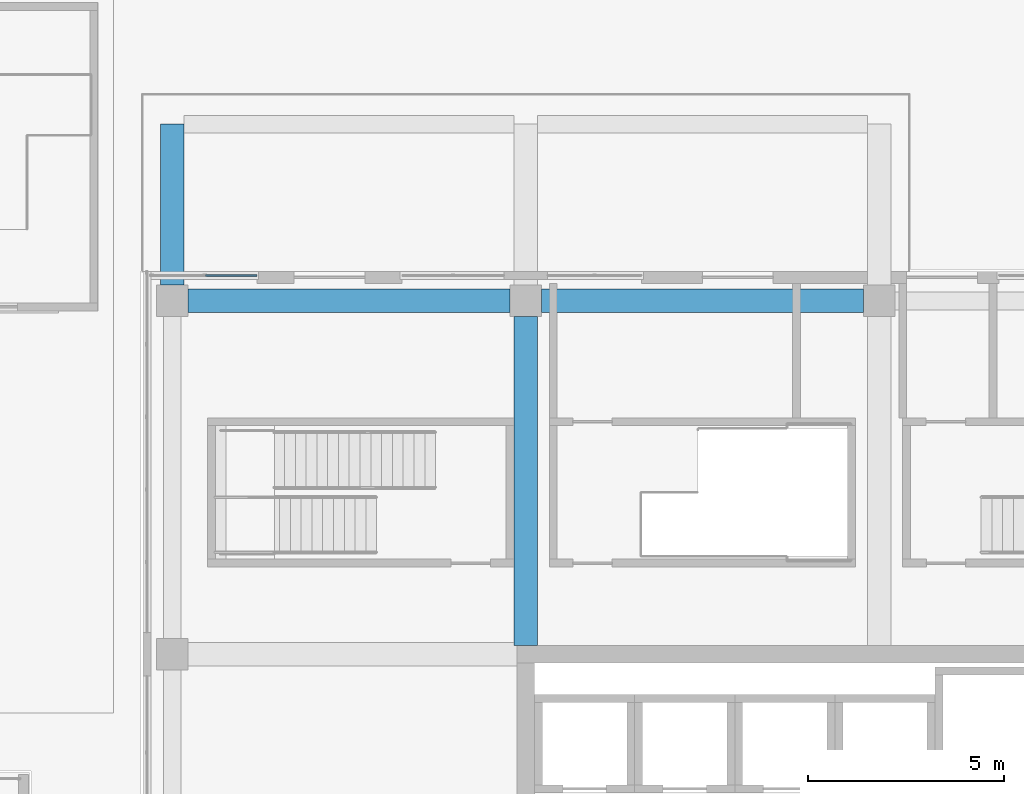
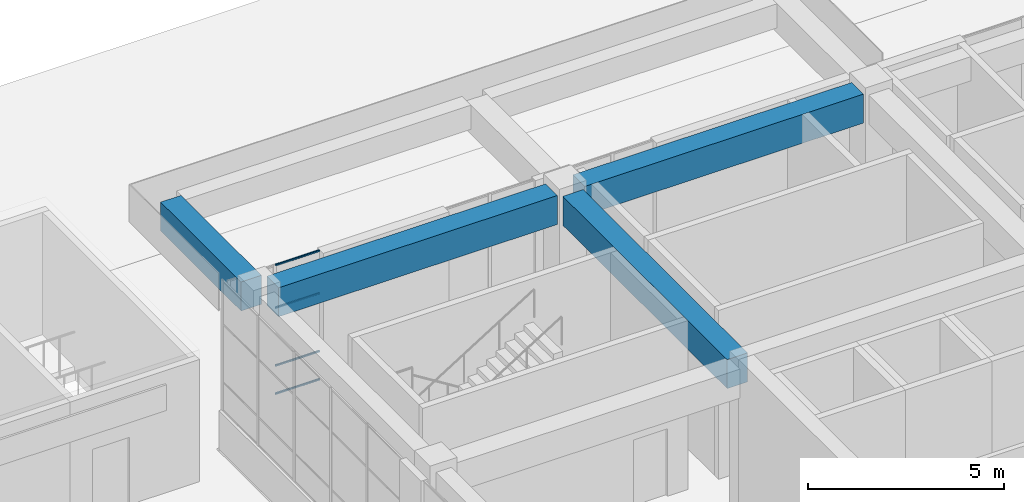
# One storey, part 28 of 72: 4 beams, 4 members, 1 element without a shape of its own.
"""IFC4 building model written with IfcOpenShell, lengths in metres."""

from ifc_helpers import new_model, si_unit, direction, frame, origin, origin_2d, place, context, subcontext, project, spatial, rectangle, hollow_rectangle, extrude, material, layer, layer_set, material_profile, profile_set, type_object, element, aggregate, save


model = new_model("IFC4")

# Units and contexts
model_context = context("Model", 3, precision=1e-05, world=origin(), true_north=direction((0.0, 1.0)))
body_context = subcontext(model_context, "Body", "Model", "MODEL_VIEW")
ifc_project = project(units=[si_unit("LENGTHUNIT", "METRE"), si_unit("AREAUNIT", "SQUARE_METRE"), si_unit("VOLUMEUNIT", "CUBIC_METRE"), si_unit("PLANEANGLEUNIT", "RADIAN"), si_unit("MASSUNIT", "GRAM", prefix="KILO")], contexts=[model_context])

# Site, building, storey
site_placement = place(None, origin())
site = spatial("IfcSite", under=ifc_project, at=site_placement, CompositionType="ELEMENT")
building_placement = place(site_placement, origin())
building = spatial("IfcBuilding", under=site, at=building_placement, Name="Tuart Plaza Theatre", CompositionType="ELEMENT")
storey_placement = place(building_placement, origin())
storey = spatial("IfcBuildingStorey", under=building, at=storey_placement, Name="L00", CompositionType="ELEMENT", Elevation=0.0)

# Beams
ifc_material_1 = material(Name="Concrete N40 (40 MPa)", Category="concrete")
ifc_material_profile_1 = material_profile(ifc_material_1, rectangle(XDim=0.60009765625, YDim=0.89990234375, at=origin_2d()), Name="BEAM 600x900 Concrete N40 (40 MPa)")
ifc_profile_set_1 = profile_set([ifc_material_profile_1], Name="Concrete N40 (40 MPa)")
beam_type = type_object("IfcBeamType", Name="BEAM 600x900 Concrete N40 (40 MPa)", PredefinedType="BEAM", material=ifc_profile_set_1)
beam_1_placement = place(storey_placement, frame((114.0, 92.39990234375, 4.800048828125), z_axis=(0.0, 1.0, 0.0), x_axis=(-1.0, 0.0, 0.0)))
element("IfcBeam", 1, at=beam_1_placement, inside=storey, type_object=beam_type, Name="RB130", PredefinedType="BEAM", context=body_context, shape_type="SweptSolid", body=[
    extrude(rectangle(XDim=0.60009765625, YDim=0.89990234375, at=origin_2d()), origin(), (0.0, 0.0, 1.0), 4.10009765625),
])
beam_2_placement = place(storey_placement, frame((114.39990234375, 92.0, 4.800048828125), z_axis=(1.0, 0.0, 0.0), x_axis=(0.0, 1.0, 0.0)))
element("IfcBeam", 2, at=beam_2_placement, inside=storey, type_object=beam_type, Name="RB131", PredefinedType="BEAM", context=body_context, shape_type="SweptSolid", body=[
    extrude(rectangle(XDim=0.60009765625, YDim=0.89990234375, at=origin_2d()), origin(), (0.0, 0.0, 1.0), 8.2001953125),
])
beam_3_placement = place(storey_placement, frame((123.0, 83.22509765625, 4.800048828125), z_axis=(0.0, 1.0, 0.0), x_axis=(-1.0, 0.0, 0.0)))
element("IfcBeam", 3, at=beam_3_placement, inside=storey, type_object=beam_type, Name="RB137", PredefinedType="BEAM", context=body_context, shape_type="SweptSolid", body=[
    extrude(rectangle(XDim=0.60009765625, YDim=0.89990234375, at=origin_2d()), origin(), (0.0, 0.0, 1.0), 8.375),
])
beam_4_placement = place(storey_placement, frame((123.39990234375, 92.0, 4.800048828125), z_axis=(1.0, 0.0, 0.0), x_axis=(0.0, 1.0, 0.0)))
element("IfcBeam", 4, at=beam_4_placement, inside=storey, type_object=beam_type, Name="RB139", PredefinedType="BEAM", context=body_context, shape_type="SweptSolid", body=[
    extrude(rectangle(XDim=0.60009765625, YDim=0.89990234375, at=origin_2d()), origin(), (0.0, 0.0, 1.0), 8.2001953125),
])

# Curtain wall, members
ifc_material_2 = material(Name="Aluminium and glass", Category="aluminium")
ifc_layer = layer(ifc_material_2, 0.10009765625)
ifc_layer_set = layer_set([ifc_layer], Name="CURTAIN WALL 1375 module")
curtain_wall_type = type_object("IfcCurtainWallType", Name="CURTAIN WALL 1375 module", PredefinedType="NOTDEFINED", material=ifc_layer_set)
curtain_wall_placement = place(storey_placement, origin())
curtain_wall = element("IfcCurtainWall", 5, at=curtain_wall_placement, inside=storey, type_object=curtain_wall_type, Name="CW56", PredefinedType="NOTDEFINED")
ifc_material_3 = material(Name="Aluminium 6063-T5", Category="aluminium")
ifc_material_profile_2 = material_profile(ifc_material_3, hollow_rectangle(XDim=0.050048828125, YDim=0.050048828125, WallThickness=0.00390625, InnerFilletRadius=0.00390625, OuterFilletRadius=0.008056640625, at=origin_2d()), Name="RHS 50x50x4")
ifc_profile_set_2 = profile_set([ifc_material_profile_2], Name="Aluminium 6063-T5")
member_type = type_object("IfcMemberType", Name="TRANSOM RHS 50x50x4", PredefinedType="USERDEFINED", material=ifc_profile_set_2)
member_1_placement = place(storey_placement, frame((116.14990234375, 92.64990234375, 1.22509765625), z_axis=(-1.0, 0.0, 0.0), x_axis=(0.0, -1.0, 0.0)))
member_1 = element("IfcMember", 6, at=member_1_placement, type_object=member_type, Name="CW56 transom 1.1", ObjectType="TRANSOM", PredefinedType="USERDEFINED", context=body_context, shape_type="SweptSolid", body=[
    extrude(hollow_rectangle(XDim=0.050048828125, YDim=0.050048828125, WallThickness=0.00390625, InnerFilletRadius=0.00390625, OuterFilletRadius=0.008056640625, at=origin_2d()), origin(), (0.0, 0.0, 1.0), 1.2998046875),
])
member_2_placement = place(storey_placement, frame((116.14990234375, 92.64990234375, 2.10009765625), z_axis=(-1.0, 0.0, 0.0), x_axis=(0.0, -1.0, 0.0)))
member_2 = element("IfcMember", 7, at=member_2_placement, type_object=member_type, Name="CW56 transom 1.2", ObjectType="TRANSOM", PredefinedType="USERDEFINED", context=body_context, shape_type="SweptSolid", body=[
    extrude(hollow_rectangle(XDim=0.050048828125, YDim=0.050048828125, WallThickness=0.00390625, InnerFilletRadius=0.00390625, OuterFilletRadius=0.008056640625, at=origin_2d()), origin(), (0.0, 0.0, 1.0), 1.2998046875),
])
member_3_placement = place(storey_placement, frame((116.14990234375, 92.64990234375, 3.89990234375), z_axis=(-1.0, 0.0, 0.0), x_axis=(0.0, -1.0, 0.0)))
member_3 = element("IfcMember", 8, at=member_3_placement, type_object=member_type, Name="CW56 transom 1.3", ObjectType="TRANSOM", PredefinedType="USERDEFINED", context=body_context, shape_type="SweptSolid", body=[
    extrude(hollow_rectangle(XDim=0.050048828125, YDim=0.050048828125, WallThickness=0.00390625, InnerFilletRadius=0.00390625, OuterFilletRadius=0.008056640625, at=origin_2d()), origin(), (0.0, 0.0, 1.0), 1.2998046875),
])
member_4_placement = place(storey_placement, frame((116.14990234375, 92.64990234375, 5.22509765625), z_axis=(-1.0, 0.0, 0.0), x_axis=(0.0, -1.0, 0.0)))
member_4 = element("IfcMember", 9, at=member_4_placement, type_object=member_type, Name="CW56 transom 1.4", ObjectType="TRANSOM", PredefinedType="USERDEFINED", context=body_context, shape_type="SweptSolid", body=[
    extrude(hollow_rectangle(XDim=0.050048828125, YDim=0.050048828125, WallThickness=0.00390625, InnerFilletRadius=0.00390625, OuterFilletRadius=0.008056640625, at=origin_2d()), origin(), (0.0, 0.0, 1.0), 1.2998046875),
])
aggregate(curtain_wall, [member_1, member_2, member_3, member_4])

save(model, "model.ifc")
